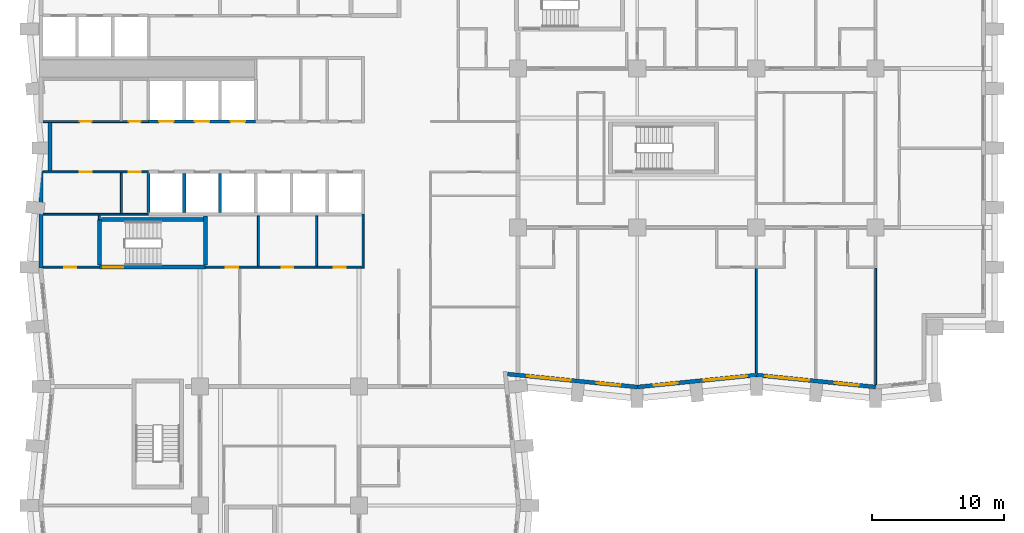
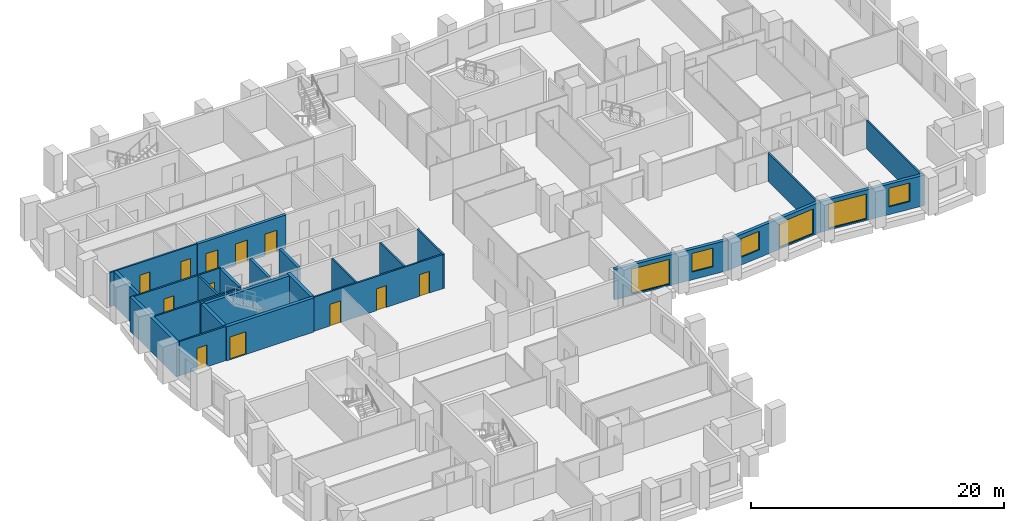
# One storey, part 5 of 12: 25 walls, 12 doors, 6 windows, 18 openings.
"""IFC4 building model written with IfcOpenShell, lengths in metres."""

from ifc_helpers import new_model, si_unit, direction, frame, frame_2d, origin, place, context, subcontext, project, spatial, rectangle, extrude, material, layer, layer_set, type_object, element, fill, save


model = new_model("IFC4")

# Units and contexts
model_context = context("Model", 3, precision=1e-05, world=origin(), true_north=direction((0.0, 1.0)))
body_context = subcontext(model_context, "Body", "Model", "MODEL_VIEW")
ifc_project = project(units=[si_unit("LENGTHUNIT", "METRE"), si_unit("AREAUNIT", "SQUARE_METRE"), si_unit("VOLUMEUNIT", "CUBIC_METRE"), si_unit("PLANEANGLEUNIT", "RADIAN"), si_unit("MASSUNIT", "GRAM", prefix="KILO")], contexts=[model_context])

# Site, building, storey
site_placement = place(None, origin())
site = spatial("IfcSite", under=ifc_project, at=site_placement, CompositionType="ELEMENT")
building_placement = place(site_placement, origin())
building = spatial("IfcBuilding", under=site, at=building_placement, Name="Brondeck Convention Tower", CompositionType="ELEMENT")
storey_placement = place(building_placement, frame((0.0, 0.0, 59.10009765625)))
storey = spatial("IfcBuildingStorey", under=building, at=storey_placement, Name="L12", CompositionType="ELEMENT", Elevation=59.10009765625)

# Wall, openings, doors
ifc_material_1 = material(Name="Concrete C80/95", Category="concrete")
ifc_layer_1 = layer(ifc_material_1, 0.14990234375)
ifc_layer_set_1 = layer_set([ifc_layer_1], Name="Core beam-seat wall 150 Concrete C80/95")
wall_type_1 = type_object("IfcWallType", Name="Core beam-seat wall 150 Concrete C80/95", PredefinedType="SHEAR", material=ifc_layer_set_1)
wall_1_placement = place(storey_placement, frame((12.39990234375, 36.0, 0.0), z_axis=(0.0, 0.0, 1.0), x_axis=(1.0, 0.0, 0.0)))
wall_1 = element("IfcWall", 1, at=wall_1_placement, inside=storey, type_object=wall_type_1, Name="L12 core wall", PredefinedType="SHEAR", context=body_context, shape_type="SweptSolid", body=[
    extrude(rectangle(XDim=11.8251953125, YDim=0.14990234375, at=frame_2d((5.91259765625, 0.0))), origin(), (0.0, 0.0, 1.0), 3.2998046875),
])
opening_1_placement = place(wall_1_placement, frame((1.52490234375, 0.0, 0.0)))
opening_1 = element("IfcOpeningElement", 2, at=opening_1_placement, cuts=wall_1, Name="Opening C10-03", PredefinedType="OPENING", context=body_context, shape_type="SweptSolid", body=[
    extrude(rectangle(XDim=0.949951171875, YDim=2.10009765625, at=frame_2d((0.47509765625, 1.050048828125))), frame((0.0, 0.0849609375, 0.0), z_axis=(0.0, -1.0, 0.0), x_axis=(1.0, 0.0, 0.0)), (0.0, 0.0, 1.0), 0.169921875),
])
opening_2_placement = place(wall_1_placement, frame((5.75, 0.0, 0.0)))
opening_2 = element("IfcOpeningElement", 3, at=opening_2_placement, cuts=wall_1, Name="Opening C10-04", PredefinedType="OPENING", context=body_context, shape_type="SweptSolid", body=[
    extrude(rectangle(XDim=0.89990234375, YDim=2.10009765625, at=frame_2d((0.449951171875, 1.050048828125))), frame((0.0, 0.0849609375, 0.0), z_axis=(0.0, -1.0, 0.0), x_axis=(1.0, 0.0, 0.0)), (0.0, 0.0, 1.0), 0.169921875),
])
opening_3_placement = place(wall_1_placement, frame((9.699951171875, 0.0, 0.0)))
opening_3 = element("IfcOpeningElement", 4, at=opening_3_placement, cuts=wall_1, Name="Opening C10-05", PredefinedType="OPENING", context=body_context, shape_type="SweptSolid", body=[
    extrude(rectangle(XDim=0.89990234375, YDim=2.10009765625, at=frame_2d((0.449951171875, 1.050048828125))), frame((0.0, 0.0849609375, 0.0), z_axis=(0.0, -1.0, 0.0), x_axis=(1.0, 0.0, 0.0)), (0.0, 0.0, 1.0), 0.169921875),
])
ifc_material_2 = material(Name="Steel fire door", Category="steel")
door_type_1 = type_object("IfcDoorType", Name="Room door 900x2100 EI 60", OperationType="NOTDEFINED", PredefinedType="DOOR", material=ifc_material_2)
door_1_placement = place(opening_2_placement, origin())
door_1 = element("IfcDoor", 5, at=door_1_placement, inside=storey, type_object=door_type_1, Name="L12 Room door FR-2", OperationType="SINGLE_SWING_LEFT", OverallHeight=2.10009765625, OverallWidth=0.89990234375, PredefinedType="DOOR", context=body_context, shape_type="SweptSolid", body=[
    extrude(rectangle(XDim=0.89990234375, YDim=2.10009765625, at=frame_2d((0.449951171875, 1.050048828125))), frame((0.0, 0.02490234375, 0.0), z_axis=(0.0, -1.0, 0.0), x_axis=(1.0, 0.0, 0.0)), (0.0, 0.0, 1.0), 0.050048828125),
])
fill(opening_2, door_1)
door_2_placement = place(opening_3_placement, origin())
door_2 = element("IfcDoor", 6, at=door_2_placement, inside=storey, type_object=door_type_1, Name="L12 Room door FR-3", OperationType="SINGLE_SWING_RIGHT", OverallHeight=2.10009765625, OverallWidth=0.89990234375, PredefinedType="DOOR", context=body_context, shape_type="SweptSolid", body=[
    extrude(rectangle(XDim=0.89990234375, YDim=2.10009765625, at=frame_2d((0.449951171875, 1.050048828125))), frame((0.0, 0.02490234375, 0.0), z_axis=(0.0, -1.0, 0.0), x_axis=(1.0, 0.0, 0.0)), (0.0, 0.0, 1.0), 0.050048828125),
])
fill(opening_3, door_2)
door_type_2 = type_object("IfcDoorType", Name="Room door 950x2100 EI 60", OperationType="NOTDEFINED", PredefinedType="DOOR", material=ifc_material_2)
door_3_placement = place(opening_1_placement, origin())
door_3 = element("IfcDoor", 7, at=door_3_placement, inside=storey, type_object=door_type_2, Name="L12 Room door FR-1", OperationType="SINGLE_SWING_RIGHT", OverallHeight=2.10009765625, OverallWidth=0.949951171875, PredefinedType="DOOR", context=body_context, shape_type="SweptSolid", body=[
    extrude(rectangle(XDim=0.949951171875, YDim=2.10009765625, at=frame_2d((0.47509765625, 1.050048828125))), frame((0.0, 0.02490234375, 0.0), z_axis=(0.0, -1.0, 0.0), x_axis=(1.0, 0.0, 0.0)), (0.0, 0.0, 1.0), 0.050048828125),
])
fill(opening_1, door_3)

# Walls
wall_2_placement = place(storey_placement, frame((24.300048828125, 35.925048828125, 0.0), z_axis=(0.0, 0.0, 1.0), x_axis=(0.0, 1.0, 0.0)))
element("IfcWall", 8, at=wall_2_placement, inside=storey, type_object=wall_type_1, Name="L12 core wall", PredefinedType="SHEAR", context=body_context, shape_type="SweptSolid", body=[
    extrude(rectangle(XDim=4.074951171875, YDim=0.14990234375, at=frame_2d((2.03759765625, 0.0))), origin(), (0.0, 0.0, 1.0), 3.2998046875),
])
ifc_layer_2 = layer(ifc_material_1, 0.300048828125)
ifc_layer_set_2 = layer_set([ifc_layer_2], Name="Core outer wall 300 Concrete C80/95")
wall_type_2 = type_object("IfcWallType", Name="Core outer wall 300 Concrete C80/95", PredefinedType="SHEAR", material=ifc_layer_set_2)
wall_3_placement = place(storey_placement, frame((0.0, 35.925048828125, 0.0), z_axis=(0.0, 0.0, 1.0), x_axis=(0.0, 1.0, 0.0)))
element("IfcWall", 9, at=wall_3_placement, inside=storey, type_object=wall_type_2, Name="L12 core wall", PredefinedType="SHEAR", context=body_context, shape_type="SweptSolid", body=[
    extrude(rectangle(XDim=7.349853515625, YDim=0.300048828125, at=frame_2d((3.6748046875, 0.0))), origin(), (0.0, 0.0, 1.0), 3.2998046875),
])
wall_4_placement = place(storey_placement, frame((0.64990234375, 43.27490234375, 0.0), z_axis=(0.0, 0.0, 1.0), x_axis=(0.0, 1.0, 0.0)))
element("IfcWall", 10, at=wall_4_placement, inside=storey, type_object=wall_type_2, Name="L12 core wall", PredefinedType="SHEAR", context=body_context, shape_type="SweptSolid", body=[
    extrude(rectangle(XDim=3.650146484375, YDim=0.300048828125, at=frame_2d((1.8251953125, 0.0))), origin(), (0.0, 0.0, 1.0), 3.2998046875),
])

# Wall, opening, door
ifc_material_3 = material(Name="Fire-rated gypsum board partition")
ifc_layer_3 = layer(ifc_material_3, 0.14990234375)
ifc_layer_set_3 = layer_set([ifc_layer_3], Name="Core partition 150 EI 60")
wall_type_3 = type_object("IfcWallType", Name="Core partition 150 EI 60", PredefinedType="PARTITIONING", material=ifc_layer_set_3)
wall_5_placement = place(storey_placement, frame((0.14990234375, 36.0, 0.0), z_axis=(0.0, 0.0, 1.0), x_axis=(1.0, 0.0, 0.0)))
wall_5 = element("IfcWall", 11, at=wall_5_placement, inside=storey, type_object=wall_type_3, Name="L12 core wall", PredefinedType="PARTITIONING", context=body_context, shape_type="SweptSolid", body=[
    extrude(rectangle(XDim=4.25, YDim=0.14990234375, at=frame_2d((2.125, 0.0))), origin(), (0.0, 0.0, 1.0), 3.2998046875),
])
opening_4_placement = place(wall_5_placement, frame((1.60009765625, 0.0, 0.0)))
opening_4 = element("IfcOpeningElement", 12, at=opening_4_placement, cuts=wall_5, Name="Opening C10-06", PredefinedType="OPENING", context=body_context, shape_type="SweptSolid", body=[
    extrude(rectangle(XDim=0.89990234375, YDim=2.10009765625, at=frame_2d((0.449951171875, 1.050048828125))), frame((0.0, 0.0849609375, 0.0), z_axis=(0.0, -1.0, 0.0), x_axis=(1.0, 0.0, 0.0)), (0.0, 0.0, 1.0), 0.169921875),
])
door_4_placement = place(opening_4_placement, origin())
door_4 = element("IfcDoor", 13, at=door_4_placement, inside=storey, type_object=door_type_1, Name="L12 Room door FRW-1", OperationType="SINGLE_SWING_LEFT", OverallHeight=2.10009765625, OverallWidth=0.89990234375, PredefinedType="DOOR", context=body_context, shape_type="SweptSolid", body=[
    extrude(rectangle(XDim=0.89990234375, YDim=2.10009765625, at=frame_2d((0.449951171875, 1.050048828125))), frame((0.0, 0.02490234375, 0.0), z_axis=(0.0, -1.0, 0.0), x_axis=(1.0, 0.0, 0.0)), (0.0, 0.0, 1.0), 0.050048828125),
])
fill(opening_4, door_4)

# Wall
wall_6_placement = place(storey_placement, frame((0.14990234375, 40.0, 0.0), z_axis=(0.0, 0.0, 1.0), x_axis=(1.0, 0.0, 0.0)))
element("IfcWall", 14, at=wall_6_placement, inside=storey, type_object=wall_type_3, Name="L12 core wall", PredefinedType="PARTITIONING", context=body_context, shape_type="SweptSolid", body=[
    extrude(rectangle(XDim=7.9501953125, YDim=0.14990234375, at=frame_2d((3.97509765625, 0.0))), origin(), (0.0, 0.0, 1.0), 3.2998046875),
])

# Wall, openings, doors
wall_7_placement = place(storey_placement, frame((0.14990234375, 43.199951171875, 0.0), z_axis=(0.0, 0.0, 1.0), x_axis=(1.0, 0.0, 0.0)))
wall_7 = element("IfcWall", 15, at=wall_7_placement, inside=storey, type_object=wall_type_3, Name="L12 core wall", PredefinedType="PARTITIONING", context=body_context, shape_type="SweptSolid", body=[
    extrude(rectangle(XDim=7.9501953125, YDim=0.14990234375, at=frame_2d((3.97509765625, 0.0))), origin(), (0.0, 0.0, 1.0), 3.2998046875),
])
opening_5_placement = place(wall_7_placement, frame((2.75, 0.0, 0.0)))
opening_5 = element("IfcOpeningElement", 16, at=opening_5_placement, cuts=wall_7, Name="Opening C10-11", PredefinedType="OPENING", context=body_context, shape_type="SweptSolid", body=[
    extrude(rectangle(XDim=0.89990234375, YDim=2.10009765625, at=frame_2d((0.449951171875, 1.050048828125))), frame((0.0, 0.0849609375, 0.0), z_axis=(0.0, -1.0, 0.0), x_axis=(1.0, 0.0, 0.0)), (0.0, 0.0, 1.0), 0.169921875),
])
opening_6_placement = place(wall_7_placement, frame((6.47509765625, 0.0, 0.0)))
opening_6 = element("IfcOpeningElement", 17, at=opening_6_placement, cuts=wall_7, Name="Opening C10-12", PredefinedType="OPENING", context=body_context, shape_type="SweptSolid", body=[
    extrude(rectangle(XDim=0.89990234375, YDim=2.10009765625, at=frame_2d((0.449951171875, 1.050048828125))), frame((0.0, 0.0849609375, 0.0), z_axis=(0.0, -1.0, 0.0), x_axis=(1.0, 0.0, 0.0)), (0.0, 0.0, 1.0), 0.169921875),
])
door_5_placement = place(opening_5_placement, origin())
door_5 = element("IfcDoor", 18, at=door_5_placement, inside=storey, type_object=door_type_1, Name="L12 Room door FZ-S-0-1", OperationType="SINGLE_SWING_LEFT", OverallHeight=2.10009765625, OverallWidth=0.89990234375, PredefinedType="DOOR", context=body_context, shape_type="SweptSolid", body=[
    extrude(rectangle(XDim=0.89990234375, YDim=2.10009765625, at=frame_2d((0.449951171875, 1.050048828125))), frame((0.0, 0.02490234375, 0.0), z_axis=(0.0, -1.0, 0.0), x_axis=(1.0, 0.0, 0.0)), (0.0, 0.0, 1.0), 0.050048828125),
])
fill(opening_5, door_5)
door_6_placement = place(opening_6_placement, origin())
door_6 = element("IfcDoor", 19, at=door_6_placement, inside=storey, type_object=door_type_1, Name="L12 Room door FZ-S-0-2", OperationType="SINGLE_SWING_RIGHT", OverallHeight=2.10009765625, OverallWidth=0.89990234375, PredefinedType="DOOR", context=body_context, shape_type="SweptSolid", body=[
    extrude(rectangle(XDim=0.89990234375, YDim=2.10009765625, at=frame_2d((0.449951171875, 1.050048828125))), frame((0.0, 0.02490234375, 0.0), z_axis=(0.0, -1.0, 0.0), x_axis=(1.0, 0.0, 0.0)), (0.0, 0.0, 1.0), 0.050048828125),
])
fill(opening_6, door_6)

wall_8_placement = place(storey_placement, frame((0.14990234375, 47.0, 0.0), z_axis=(0.0, 0.0, 1.0), x_axis=(1.0, 0.0, 0.0)))
wall_8 = element("IfcWall", 20, at=wall_8_placement, inside=storey, type_object=wall_type_3, Name="L12 core wall", PredefinedType="PARTITIONING", context=body_context, shape_type="SweptSolid", body=[
    extrude(rectangle(XDim=7.9501953125, YDim=0.14990234375, at=frame_2d((3.97509765625, 0.0))), origin(), (0.0, 0.0, 1.0), 3.2998046875),
])
opening_7_placement = place(wall_8_placement, frame((2.75, 0.0, 0.0)))
opening_7 = element("IfcOpeningElement", 21, at=opening_7_placement, cuts=wall_8, Name="Opening C10-07", PredefinedType="OPENING", context=body_context, shape_type="SweptSolid", body=[
    extrude(rectangle(XDim=0.89990234375, YDim=2.10009765625, at=frame_2d((0.449951171875, 1.050048828125))), frame((0.0, 0.0849609375, 0.0), z_axis=(0.0, -1.0, 0.0), x_axis=(1.0, 0.0, 0.0)), (0.0, 0.0, 1.0), 0.169921875),
])
opening_8_placement = place(wall_8_placement, frame((6.47509765625, 0.0, 0.0)))
opening_8 = element("IfcOpeningElement", 22, at=opening_8_placement, cuts=wall_8, Name="Opening C10-08", PredefinedType="OPENING", context=body_context, shape_type="SweptSolid", body=[
    extrude(rectangle(XDim=0.89990234375, YDim=2.10009765625, at=frame_2d((0.449951171875, 1.050048828125))), frame((0.0, 0.0849609375, 0.0), z_axis=(0.0, -1.0, 0.0), x_axis=(1.0, 0.0, 0.0)), (0.0, 0.0, 1.0), 0.169921875),
])
door_7_placement = place(opening_7_placement, origin())
door_7 = element("IfcDoor", 23, at=door_7_placement, inside=storey, type_object=door_type_1, Name="L12 Room door FZ-N-0-1", OperationType="SINGLE_SWING_RIGHT", OverallHeight=2.10009765625, OverallWidth=0.89990234375, PredefinedType="DOOR", context=body_context, shape_type="SweptSolid", body=[
    extrude(rectangle(XDim=0.89990234375, YDim=2.10009765625, at=frame_2d((0.449951171875, 1.050048828125))), frame((0.0, 0.02490234375, 0.0), z_axis=(0.0, -1.0, 0.0), x_axis=(1.0, 0.0, 0.0)), (0.0, 0.0, 1.0), 0.050048828125),
])
fill(opening_7, door_7)
door_8_placement = place(opening_8_placement, origin())
door_8 = element("IfcDoor", 24, at=door_8_placement, inside=storey, type_object=door_type_1, Name="L12 Room door FZ-N-0-2", OperationType="SINGLE_SWING_LEFT", OverallHeight=2.10009765625, OverallWidth=0.89990234375, PredefinedType="DOOR", context=body_context, shape_type="SweptSolid", body=[
    extrude(rectangle(XDim=0.89990234375, YDim=2.10009765625, at=frame_2d((0.449951171875, 1.050048828125))), frame((0.0, 0.02490234375, 0.0), z_axis=(0.0, -1.0, 0.0), x_axis=(1.0, 0.0, 0.0)), (0.0, 0.0, 1.0), 0.050048828125),
])
fill(opening_8, door_8)

# Walls
wall_9_placement = place(storey_placement, frame((4.39990234375, 39.60009765625, 0.0), z_axis=(0.0, 0.0, 1.0), x_axis=(0.0, 1.0, 0.0)))
element("IfcWall", 25, at=wall_9_placement, inside=storey, type_object=wall_type_3, Name="L12 core wall", PredefinedType="PARTITIONING", context=body_context, shape_type="SweptSolid", body=[
    extrude(rectangle(XDim=0.324951171875, YDim=0.14990234375, at=frame_2d((0.16259765625, 0.0))), origin(), (0.0, 0.0, 1.0), 3.2998046875),
])
wall_10_placement = place(storey_placement, frame((6.050048828125, 40.074951171875, 0.0), z_axis=(0.0, 0.0, 1.0), x_axis=(0.0, 1.0, 0.0)))
element("IfcWall", 26, at=wall_10_placement, inside=storey, type_object=wall_type_3, Name="L12 core wall", PredefinedType="PARTITIONING", context=body_context, shape_type="SweptSolid", body=[
    extrude(rectangle(XDim=3.050048828125, YDim=0.14990234375, at=frame_2d((1.52490234375, 0.0))), origin(), (0.0, 0.0, 1.0), 3.2998046875),
])
for number, where, z_axis, x_axis, name in (
    (27, (16.39990234375, 36.074951171875, 0.0), (0.0, 0.0, 1.0), (0.0, 1.0, 0.0), "L12 core wall"),
    (28, (20.800048828125, 36.074951171875, 0.0), (0.0, 0.0, 1.0), (0.0, 1.0, 0.0), "L12 core wall"),
):
    element("IfcWall", number, at=place(storey_placement, frame(where, z_axis=z_axis, x_axis=x_axis)), inside=storey, type_object=wall_type_3, Name=name, PredefinedType="PARTITIONING", context=body_context, shape_type="SweptSolid", body=[
        extrude(rectangle(XDim=3.800048828125, YDim=0.14990234375, at=frame_2d((1.89990234375, 0.0))), origin(), (0.0, 0.0, 1.0), 3.2998046875),
    ])

# Wall, openings, windows
ifc_material_4 = material(Name="Precast concrete C50/60 bronze finish", Category="concrete")
ifc_layer_4 = layer(ifc_material_4, 0.070068359375, Name="Bronze precast facing")
ifc_material_5 = material(Name="Mineral wool")
ifc_layer_5 = layer(ifc_material_5, 0.159912109375, Name="Insulation")
ifc_material_6 = material(Name="Concrete C35/45", Category="concrete")
ifc_layer_6 = layer(ifc_material_6, 0.070068359375, Name="Backing")
ifc_layer_set_4 = layer_set([ifc_layer_4, ifc_layer_5, ifc_layer_6], Name="External infill wall, precast concrete C50/60 bronze facing")
wall_type_4 = type_object("IfcWallType", Name="External infill wall, precast concrete C50/60 bronze facing", PredefinedType="SOLIDWALL", material=ifc_layer_set_4)
wall_11_placement = place(storey_placement, frame((45.014892578125, 26.95263671875, 0.0), z_axis=(0.0, 0.0, 1.0), x_axis=(-0.995036699177, 0.099508629231, 0.0)))
wall_11 = element("IfcWall", 29, at=wall_11_placement, inside=storey, type_object=wall_type_4, Name="ENV-EW-L12-P0-A-S-00", PredefinedType="SOLIDWALL", context=body_context, shape_type="SweptSolid", body=[
    extrude(rectangle(XDim=9.845703125, YDim=0.300048828125, at=frame_2d((4.9228515625, 0.0))), origin(), (0.0, 0.0, 1.0), 2.949951171875),
])
opening_9_placement = place(wall_11_placement, frame((1.291259765625, 0.0, 0.75)))
opening_9 = element("IfcOpeningElement", 30, at=opening_9_placement, cuts=wall_11, Name="Opening W10", PredefinedType="OPENING", context=body_context, shape_type="SweptSolid", body=[
    extrude(rectangle(XDim=1.800048828125, YDim=1.800048828125, at=frame_2d((0.89990234375, 0.89990234375))), frame((0.0, 0.159912109375, 0.0), z_axis=(0.0, -1.0, 0.0), x_axis=(1.0, 0.0, 0.0)), (0.0, 0.0, 1.0), 0.320068359375),
])
opening_10_placement = place(wall_11_placement, frame((5.063720703125, 0.0, 0.14990234375)))
opening_10 = element("IfcOpeningElement", 31, at=opening_10_placement, cuts=wall_11, Name="Opening W9", PredefinedType="OPENING", context=body_context, shape_type="SweptSolid", body=[
    extrude(rectangle(XDim=3.300048828125, YDim=2.39990234375, at=frame_2d((1.64990234375, 1.199951171875))), frame((0.0, 0.159912109375, 0.0), z_axis=(0.0, -1.0, 0.0), x_axis=(1.0, 0.0, 0.0)), (0.0, 0.0, 1.0), 0.320068359375),
])
ifc_material_7 = material(Name="Bronze tinted double glazing", Category="glass")
window_type_1 = type_object("IfcWindowType", Name="Glazed flute window, bronze tinted", PartitioningType="SINGLE_PANEL", PredefinedType="WINDOW", material=ifc_material_7)
window_1_placement = place(opening_10_placement, origin())
window_1 = element("IfcWindow", 32, at=window_1_placement, inside=storey, type_object=window_type_1, Name="ENV-WN-L12-P0-A-S-00", OverallHeight=2.39990234375, OverallWidth=3.300048828125, PartitioningType="SINGLE_PANEL", PredefinedType="WINDOW", context=body_context, shape_type="SweptSolid", body=[
    extrude(rectangle(XDim=3.300048828125, YDim=2.39990234375, at=frame_2d((1.64990234375, 1.199951171875))), frame((0.0, 0.030029296875, 0.0), z_axis=(0.0, -1.0, 0.0), x_axis=(1.0, 0.0, 0.0)), (0.0, 0.0, 1.0), 0.06005859375),
])
fill(opening_10, window_1)
window_type_2 = type_object("IfcWindowType", Name="Punched window, bronze tinted", PartitioningType="SINGLE_PANEL", PredefinedType="WINDOW", material=ifc_material_7)
window_2_placement = place(opening_9_placement, origin())
window_2 = element("IfcWindow", 33, at=window_2_placement, inside=storey, type_object=window_type_2, Name="ENV-WN-L12-P0-A-S-01", OverallHeight=1.800048828125, OverallWidth=1.800048828125, PartitioningType="SINGLE_PANEL", PredefinedType="WINDOW", context=body_context, shape_type="SweptSolid", body=[
    extrude(rectangle(XDim=1.800048828125, YDim=1.800048828125, at=frame_2d((0.89990234375, 0.89990234375))), frame((0.0, 0.030029296875, 0.0), z_axis=(0.0, -1.0, 0.0), x_axis=(1.0, 0.0, 0.0)), (0.0, 0.0, 1.0), 0.06005859375),
])
fill(opening_9, window_2)

wall_12_placement = place(storey_placement, frame((54.014892578125, 27.855712890625, 0.0), z_axis=(0.0, 0.0, 1.0), x_axis=(-0.995037993253, -0.099495688264, 0.0)))
wall_12 = element("IfcWall", 34, at=wall_12_placement, inside=storey, type_object=wall_type_4, Name="ENV-EW-L12-P0-A-S-02", PredefinedType="SOLIDWALL", context=body_context, shape_type="SweptSolid", body=[
    extrude(rectangle(XDim=9.030029296875, YDim=0.300048828125, at=frame_2d((4.51513671875, 0.0))), origin(), (0.0, 0.0, 1.0), 2.949951171875),
])
opening_11_placement = place(wall_12_placement, frame((0.711181640625, 0.0, 0.14990234375)))
opening_11 = element("IfcOpeningElement", 35, at=opening_11_placement, cuts=wall_12, Name="Opening W9", PredefinedType="OPENING", context=body_context, shape_type="SweptSolid", body=[
    extrude(rectangle(XDim=3.300048828125, YDim=2.39990234375, at=frame_2d((1.64990234375, 1.199951171875))), frame((0.0, 0.159912109375, 0.0), z_axis=(0.0, -1.0, 0.0), x_axis=(1.0, 0.0, 0.0)), (0.0, 0.0, 1.0), 0.320068359375),
])
opening_12_placement = place(wall_12_placement, frame((5.983642578125, 0.0, 0.75)))
opening_12 = element("IfcOpeningElement", 36, at=opening_12_placement, cuts=wall_12, Name="Opening W10", PredefinedType="OPENING", context=body_context, shape_type="SweptSolid", body=[
    extrude(rectangle(XDim=1.800048828125, YDim=1.800048828125, at=frame_2d((0.89990234375, 0.89990234375))), frame((0.0, 0.159912109375, 0.0), z_axis=(0.0, -1.0, 0.0), x_axis=(1.0, 0.0, 0.0)), (0.0, 0.0, 1.0), 0.320068359375),
])
window_3_placement = place(opening_11_placement, origin())
window_3 = element("IfcWindow", 37, at=window_3_placement, inside=storey, type_object=window_type_1, Name="ENV-WN-L12-P0-A-S-03", OverallHeight=2.39990234375, OverallWidth=3.300048828125, PartitioningType="SINGLE_PANEL", PredefinedType="WINDOW", context=body_context, shape_type="SweptSolid", body=[
    extrude(rectangle(XDim=3.300048828125, YDim=2.39990234375, at=frame_2d((1.64990234375, 1.199951171875))), frame((0.0, 0.030029296875, 0.0), z_axis=(0.0, -1.0, 0.0), x_axis=(1.0, 0.0, 0.0)), (0.0, 0.0, 1.0), 0.06005859375),
])
fill(opening_11, window_3)
window_4_placement = place(opening_12_placement, origin())
window_4 = element("IfcWindow", 38, at=window_4_placement, inside=storey, type_object=window_type_2, Name="ENV-WN-L12-P0-A-S-02", OverallHeight=1.800048828125, OverallWidth=1.800048828125, PartitioningType="SINGLE_PANEL", PredefinedType="WINDOW", context=body_context, shape_type="SweptSolid", body=[
    extrude(rectangle(XDim=1.800048828125, YDim=1.800048828125, at=frame_2d((0.89990234375, 0.89990234375))), frame((0.0, 0.030029296875, 0.0), z_axis=(0.0, -1.0, 0.0), x_axis=(1.0, 0.0, 0.0)), (0.0, 0.0, 1.0), 0.06005859375),
])
fill(opening_12, window_4)

wall_13_placement = place(storey_placement, frame((63.014892578125, 26.95263671875, 0.0), z_axis=(0.0, 0.0, 1.0), x_axis=(-0.995035316196, 0.099522457379, 0.0)))
wall_13 = element("IfcWall", 39, at=wall_13_placement, inside=storey, type_object=wall_type_4, Name="ENV-EW-L12-P0-A-S-04", PredefinedType="SOLIDWALL", context=body_context, shape_type="SweptSolid", body=[
    extrude(rectangle(XDim=9.030029296875, YDim=0.300048828125, at=frame_2d((4.51513671875, 0.0))), origin(), (0.0, 0.0, 1.0), 2.949951171875),
])
opening_13_placement = place(wall_13_placement, frame((1.291259765625, 0.0, 0.75)))
opening_13 = element("IfcOpeningElement", 40, at=opening_13_placement, cuts=wall_13, Name="Opening W10", PredefinedType="OPENING", context=body_context, shape_type="SweptSolid", body=[
    extrude(rectangle(XDim=1.800048828125, YDim=1.800048828125, at=frame_2d((0.89990234375, 0.89990234375))), frame((0.0, 0.159912109375, 0.0), z_axis=(0.0, -1.0, 0.0), x_axis=(1.0, 0.0, 0.0)), (0.0, 0.0, 1.0), 0.320068359375),
])
opening_14_placement = place(wall_13_placement, frame((5.063720703125, 0.0, 0.14990234375)))
opening_14 = element("IfcOpeningElement", 41, at=opening_14_placement, cuts=wall_13, Name="Opening W9", PredefinedType="OPENING", context=body_context, shape_type="SweptSolid", body=[
    extrude(rectangle(XDim=3.300048828125, YDim=2.39990234375, at=frame_2d((1.64990234375, 1.199951171875))), frame((0.0, 0.159912109375, 0.0), z_axis=(0.0, -1.0, 0.0), x_axis=(1.0, 0.0, 0.0)), (0.0, 0.0, 1.0), 0.320068359375),
])
window_5_placement = place(opening_14_placement, origin())
window_5 = element("IfcWindow", 42, at=window_5_placement, inside=storey, type_object=window_type_1, Name="ENV-WN-L12-P0-A-S-04", OverallHeight=2.39990234375, OverallWidth=3.300048828125, PartitioningType="SINGLE_PANEL", PredefinedType="WINDOW", context=body_context, shape_type="SweptSolid", body=[
    extrude(rectangle(XDim=3.300048828125, YDim=2.39990234375, at=frame_2d((1.64990234375, 1.199951171875))), frame((0.0, 0.030029296875, 0.0), z_axis=(0.0, -1.0, 0.0), x_axis=(1.0, 0.0, 0.0)), (0.0, 0.0, 1.0), 0.06005859375),
])
fill(opening_14, window_5)
window_6_placement = place(opening_13_placement, origin())
window_6 = element("IfcWindow", 43, at=window_6_placement, inside=storey, type_object=window_type_2, Name="ENV-WN-L12-P0-A-S-05", OverallHeight=1.800048828125, OverallWidth=1.800048828125, PartitioningType="SINGLE_PANEL", PredefinedType="WINDOW", context=body_context, shape_type="SweptSolid", body=[
    extrude(rectangle(XDim=1.800048828125, YDim=1.800048828125, at=frame_2d((0.89990234375, 0.89990234375))), frame((0.0, 0.030029296875, 0.0), z_axis=(0.0, -1.0, 0.0), x_axis=(1.0, 0.0, 0.0)), (0.0, 0.0, 1.0), 0.06005859375),
])
fill(opening_13, window_6)

# Walls
ifc_material_8 = material(Name="Double gypsum board acoustic wall")
ifc_layer_7 = layer(ifc_material_8, 0.14990234375)
ifc_layer_set_5 = layer_set([ifc_layer_7], Name="Guest room party wall 150")
wall_type_5 = type_object("IfcWallType", Name="Guest room party wall 150", PredefinedType="PARTITIONING", material=ifc_layer_set_5)
wall_14_placement = place(storey_placement, frame((54.0, 35.925048828125, 0.0), z_axis=(0.0, 0.0, 1.0), x_axis=(0.0, -1.0, 0.0)))
element("IfcWall", 44, at=wall_14_placement, inside=storey, type_object=wall_type_5, Name="FLR-L12-W048", PredefinedType="PARTITIONING", context=body_context, shape_type="SweptSolid", body=[
    extrude(rectangle(XDim=7.900146484375, YDim=0.14990234375, at=frame_2d((3.9501953125, 0.0))), origin(), (0.0, 0.0, 1.0), 2.72998046875),
])
wall_15_placement = place(storey_placement, frame((63.0, 35.925048828125, 0.0), z_axis=(0.0, 0.0, 1.0), x_axis=(0.0, -1.0, 0.0)))
element("IfcWall", 45, at=wall_15_placement, inside=storey, type_object=wall_type_5, Name="FLR-L12-W049", PredefinedType="PARTITIONING", context=body_context, shape_type="SweptSolid", body=[
    extrude(rectangle(XDim=8.800048828125, YDim=0.14990234375, at=frame_2d((4.39990234375, 0.0))), origin(), (0.0, 0.0, 1.0), 2.72998046875),
])

# Wall, openings, doors
ifc_layer_8 = layer(ifc_material_1, 0.25)
ifc_layer_set_6 = layer_set([ifc_layer_8], Name="Lift shaft wall 250 Concrete C80/95")
wall_type_6 = type_object("IfcWallType", Name="Lift shaft wall 250 Concrete C80/95", PredefinedType="SHEAR", material=ifc_layer_set_6)
wall_16_placement = place(storey_placement, frame((8.10009765625, 47.0, 0.0), z_axis=(0.0, 0.0, 1.0), x_axis=(1.0, 0.0, 0.0)))
wall_16 = element("IfcWall", 46, at=wall_16_placement, inside=storey, type_object=wall_type_6, Name="L12 core wall", PredefinedType="SHEAR", context=body_context, shape_type="SweptSolid", body=[
    extrude(rectangle(XDim=8.099853515625, YDim=0.25, at=frame_2d((4.0498046875, 0.0))), origin(), (0.0, 0.0, 1.0), 3.2998046875),
])
opening_15_placement = place(wall_16_placement, frame((0.800048828125, 0.0, 0.0)))
opening_15 = element("IfcOpeningElement", 47, at=opening_15_placement, cuts=wall_16, Name="Opening C10-29", PredefinedType="OPENING", context=body_context, shape_type="SweptSolid", body=[
    extrude(rectangle(XDim=1.10009765625, YDim=2.10009765625, at=frame_2d((0.550048828125, 1.050048828125))), frame((0.0, 0.135009765625, 0.0), z_axis=(0.0, -1.0, 0.0), x_axis=(1.0, 0.0, 0.0)), (0.0, 0.0, 1.0), 0.27001953125),
])
opening_16_placement = place(wall_16_placement, frame((3.5, 0.0, 0.0)))
opening_16 = element("IfcOpeningElement", 48, at=opening_16_placement, cuts=wall_16, Name="Opening C10-30", PredefinedType="OPENING", context=body_context, shape_type="SweptSolid", body=[
    extrude(rectangle(XDim=1.10009765625, YDim=2.10009765625, at=frame_2d((0.550048828125, 1.050048828125))), frame((0.0, 0.135009765625, 0.0), z_axis=(0.0, -1.0, 0.0), x_axis=(1.0, 0.0, 0.0)), (0.0, 0.0, 1.0), 0.27001953125),
])
opening_17_placement = place(wall_16_placement, frame((6.199951171875, 0.0, 0.0)))
opening_17 = element("IfcOpeningElement", 49, at=opening_17_placement, cuts=wall_16, Name="Opening C10-31", PredefinedType="OPENING", context=body_context, shape_type="SweptSolid", body=[
    extrude(rectangle(XDim=1.10009765625, YDim=2.10009765625, at=frame_2d((0.550048828125, 1.050048828125))), frame((0.0, 0.135009765625, 0.0), z_axis=(0.0, -1.0, 0.0), x_axis=(1.0, 0.0, 0.0)), (0.0, 0.0, 1.0), 0.27001953125),
])
ifc_material_9 = material(Name="Stainless steel lift door", Category="steel")
door_type_3 = type_object("IfcDoorType", Name="Lift landing door 1100x2100 EI 180", OperationType="DOUBLE_DOOR_SLIDING", PredefinedType="DOOR", material=ifc_material_9)
door_9_placement = place(opening_15_placement, origin())
door_9 = element("IfcDoor", 50, at=door_9_placement, inside=storey, type_object=door_type_3, Name="L12 Lift landing door LR4", OperationType="DOUBLE_DOOR_SLIDING", OverallHeight=2.10009765625, OverallWidth=1.10009765625, PredefinedType="DOOR", context=body_context, shape_type="SweptSolid", body=[
    extrude(rectangle(XDim=1.10009765625, YDim=2.10009765625, at=frame_2d((0.550048828125, 1.050048828125))), frame((0.0, 0.02490234375, 0.0), z_axis=(0.0, -1.0, 0.0), x_axis=(1.0, 0.0, 0.0)), (0.0, 0.0, 1.0), 0.050048828125),
])
fill(opening_15, door_9)
door_10_placement = place(opening_16_placement, origin())
door_10 = element("IfcDoor", 51, at=door_10_placement, inside=storey, type_object=door_type_3, Name="L12 Lift landing door LR5", OperationType="DOUBLE_DOOR_SLIDING", OverallHeight=2.10009765625, OverallWidth=1.10009765625, PredefinedType="DOOR", context=body_context, shape_type="SweptSolid", body=[
    extrude(rectangle(XDim=1.10009765625, YDim=2.10009765625, at=frame_2d((0.550048828125, 1.050048828125))), frame((0.0, 0.02490234375, 0.0), z_axis=(0.0, -1.0, 0.0), x_axis=(1.0, 0.0, 0.0)), (0.0, 0.0, 1.0), 0.050048828125),
])
fill(opening_16, door_10)
door_11_placement = place(opening_17_placement, origin())
door_11 = element("IfcDoor", 52, at=door_11_placement, inside=storey, type_object=door_type_3, Name="L12 Lift landing door LR6", OperationType="DOUBLE_DOOR_SLIDING", OverallHeight=2.10009765625, OverallWidth=1.10009765625, PredefinedType="DOOR", context=body_context, shape_type="SweptSolid", body=[
    extrude(rectangle(XDim=1.10009765625, YDim=2.10009765625, at=frame_2d((0.550048828125, 1.050048828125))), frame((0.0, 0.02490234375, 0.0), z_axis=(0.0, -1.0, 0.0), x_axis=(1.0, 0.0, 0.0)), (0.0, 0.0, 1.0), 0.050048828125),
])
fill(opening_17, door_11)

# Walls
for number, where, z_axis, x_axis, name in (
    (53, (8.10009765625, 40.125, 0.0), (0.0, 0.0, 1.0), (0.0, 1.0, 0.0), "L12 core wall"),
    (54, (10.800048828125, 40.125, 0.0), (0.0, 0.0, 1.0), (0.0, 1.0, 0.0), "L12 core wall"),
    (55, (13.5, 40.125, 0.0), (0.0, 0.0, 1.0), (0.0, 1.0, 0.0), "L12 core wall"),
):
    element("IfcWall", number, at=place(storey_placement, frame(where, z_axis=z_axis, x_axis=x_axis)), inside=storey, type_object=wall_type_6, Name=name, PredefinedType="SHEAR", context=body_context, shape_type="SweptSolid", body=[
        extrude(rectangle(XDim=2.949951171875, YDim=0.25, at=frame_2d((1.47509765625, 0.0))), origin(), (0.0, 0.0, 1.0), 3.2998046875),
    ])

# Wall, opening, door
ifc_layer_9 = layer(ifc_material_1, 0.300048828125)
ifc_layer_set_7 = layer_set([ifc_layer_9], Name="Stair enclosure wall 300 Concrete C80/95")
wall_type_7 = type_object("IfcWallType", Name="Stair enclosure wall 300 Concrete C80/95", PredefinedType="SHEAR", material=ifc_layer_set_7)
wall_17_placement = place(storey_placement, frame((4.39990234375, 36.0, 0.0), z_axis=(0.0, 0.0, 1.0), x_axis=(1.0, 0.0, 0.0)))
wall_17 = element("IfcWall", 56, at=wall_17_placement, inside=storey, type_object=wall_type_7, Name="L12 core wall", PredefinedType="SHEAR", context=body_context, shape_type="SweptSolid", body=[
    extrude(rectangle(XDim=8.0, YDim=0.300048828125, at=frame_2d((4.0, 0.0))), origin(), (0.0, 0.0, 1.0), 3.2998046875),
])
opening_18_placement = place(wall_17_placement, frame((0.300048828125, 0.0, 0.0)))
opening_18 = element("IfcOpeningElement", 57, at=opening_18_placement, cuts=wall_17, Name="Opening C10-15", PredefinedType="OPENING", context=body_context, shape_type="SweptSolid", body=[
    extrude(rectangle(XDim=1.5, YDim=2.199951171875, at=frame_2d((0.75, 1.10009765625))), frame((0.0, 0.159912109375, 0.0), z_axis=(0.0, -1.0, 0.0), x_axis=(1.0, 0.0, 0.0)), (0.0, 0.0, 1.0), 0.320068359375),
])
door_type_4 = type_object("IfcDoorType", Name="Stair door 1500x2200 EI 90", OperationType="NOTDEFINED", PredefinedType="DOOR", material=ifc_material_2)
door_12_placement = place(opening_18_placement, origin())
door_12 = element("IfcDoor", 58, at=door_12_placement, inside=storey, type_object=door_type_4, Name="L12 Stair door ST-1", OperationType="SINGLE_SWING_RIGHT", OverallHeight=2.199951171875, OverallWidth=1.5, PredefinedType="DOOR", context=body_context, shape_type="SweptSolid", body=[
    extrude(rectangle(XDim=1.5, YDim=2.199951171875, at=frame_2d((0.75, 1.10009765625))), frame((0.0, 0.02490234375, 0.0), z_axis=(0.0, -1.0, 0.0), x_axis=(1.0, 0.0, 0.0)), (0.0, 0.0, 1.0), 0.050048828125),
])
fill(opening_18, door_12)

# Walls
wall_18_placement = place(storey_placement, frame((4.550048828125, 39.60009765625, 0.0), z_axis=(0.0, 0.0, 1.0), x_axis=(1.0, 0.0, 0.0)))
element("IfcWall", 59, at=wall_18_placement, inside=storey, type_object=wall_type_7, Name="L12 core wall", PredefinedType="SHEAR", context=body_context, shape_type="SweptSolid", body=[
    extrude(rectangle(XDim=7.699951171875, YDim=0.300048828125, at=frame_2d((3.85009765625, 0.0))), origin(), (0.0, 0.0, 1.0), 3.2998046875),
])
wall_19_placement = place(storey_placement, frame((4.39990234375, 36.14990234375, 0.0), z_axis=(0.0, 0.0, 1.0), x_axis=(0.0, 1.0, 0.0)))
element("IfcWall", 60, at=wall_19_placement, inside=storey, type_object=wall_type_7, Name="L12 core wall", PredefinedType="SHEAR", context=body_context, shape_type="SweptSolid", body=[
    extrude(rectangle(XDim=3.4501953125, YDim=0.300048828125, at=frame_2d((1.72509765625, 0.0))), origin(), (0.0, 0.0, 1.0), 3.2998046875),
])
wall_20_placement = place(storey_placement, frame((12.39990234375, 36.14990234375, 0.0), z_axis=(0.0, 0.0, 1.0), x_axis=(0.0, 1.0, 0.0)))
element("IfcWall", 61, at=wall_20_placement, inside=storey, type_object=wall_type_7, Name="L12 core wall", PredefinedType="SHEAR", context=body_context, shape_type="SweptSolid", body=[
    extrude(rectangle(XDim=3.72509765625, YDim=0.300048828125, at=frame_2d((1.862548828125, 0.0))), origin(), (0.0, 0.0, 1.0), 3.2998046875),
])

save(model, "model.ifc")
